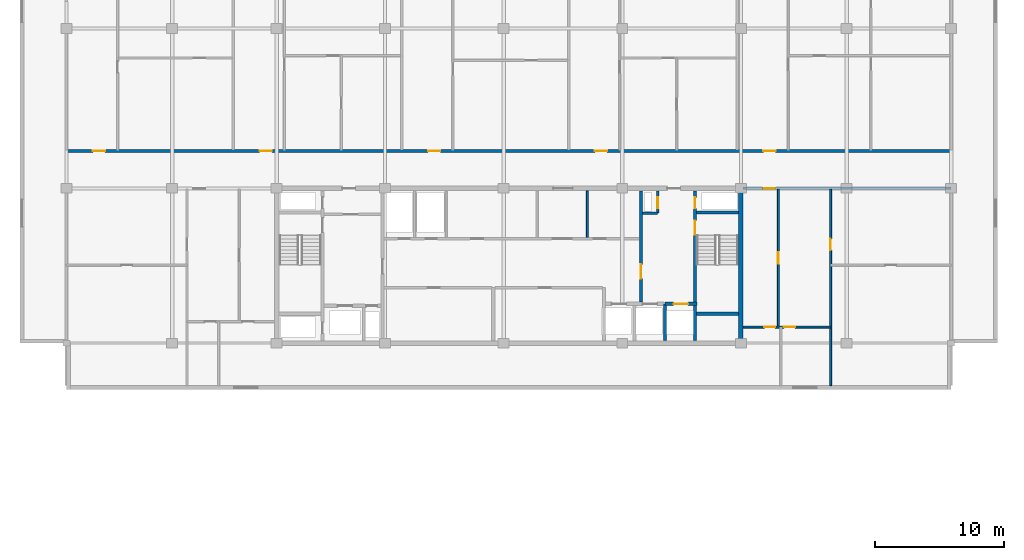
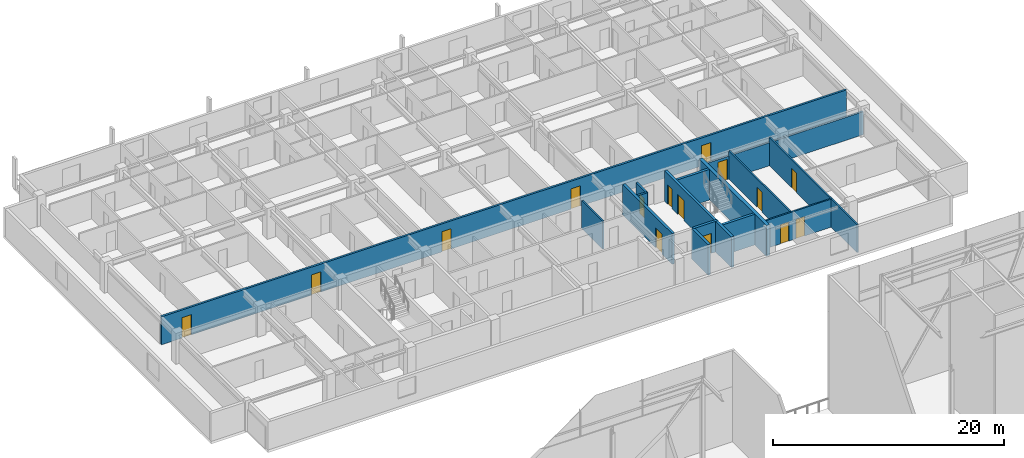
# One storey, part 36 of 42: 15 doors, 15 walls, 15 openings.
"""IFC4 building model written with IfcOpenShell, lengths in metres."""

import ifcopenshell
import ifcopenshell.guid

model = None  # the IFC model being written
_history = None  # IfcOwnerHistory: only IFC2X3 demands one
_inside = {}  # id of a spatial element -> (the spatial element, [elements in it])
_under = {}  # id of a project, library or spatial element -> (it, [spatial elements below it])
_declared = {}  # id of a project -> (the project, [libraries it declares])
_typed = {}  # id of a type object -> (the type object, [elements of that type])
_made_of = {}  # id of a material, layer set ... -> (it, [elements and type objects made of it])


def new_model(schema):
    """Start an empty IFC model of exactly this schema.

    Asked for "IFC4X3", IfcOpenShell would pick the latest addendum, in which some entities
    have other attributes; the version numbers below select the first issue.
    IFC2X3 requires an IfcOwnerHistory on every rooted entity: one is made here for all.
    """
    global model, _history
    if schema == "IFC4X3":
        model = ifcopenshell.file(schema_version=(4, 3, 0, 0))
    else:
        model = ifcopenshell.file(schema=schema)
    _inside.clear()
    _under.clear()
    _declared.clear()
    _typed.clear()
    _made_of.clear()
    _history = None
    if model.schema == "IFC2X3":
        org = make("IfcOrganization", Name="unknown")
        user = make(
            "IfcPersonAndOrganization",
            ThePerson=make("IfcPerson", FamilyName="unknown"),
            TheOrganization=org,
        )
        app = make(
            "IfcApplication",
            ApplicationDeveloper=org,
            Version="unknown",
            ApplicationFullName="unknown",
            ApplicationIdentifier="unknown",
        )
        _history = make(
            "IfcOwnerHistory",
            OwningUser=user,
            OwningApplication=app,
            ChangeAction="ADDED",
            CreationDate=0,
        )
    return model


def make(cls, **values):
    """One entity of the class cls with the attributes given. An attribute that is None is left unset."""
    return model.create_entity(
        cls, **{name: value for name, value in values.items() if value is not None}
    )


def rooted(cls, **values):
    """An entity with a GlobalId (a new one), such as an element, a storey or a relation."""
    return make(cls, GlobalId=ifcopenshell.guid.new(), OwnerHistory=_history, **values)


def si_unit(unit_type, name, prefix=None):
    """IfcSIUnit, for example si_unit("LENGTHUNIT", "METRE", prefix="MILLI")."""
    return make("IfcSIUnit", UnitType=unit_type, Prefix=prefix, Name=name)


def assignment(units):
    """IfcUnitAssignment: the units of a project."""
    return None if units is None else make("IfcUnitAssignment", Units=units)


def point(xyz):
    """IfcCartesianPoint."""
    return None if xyz is None else make("IfcCartesianPoint", Coordinates=xyz)


def direction(xyz):
    """IfcDirection."""
    return None if xyz is None else make("IfcDirection", DirectionRatios=xyz)


def frame(location, z_axis=None, x_axis=None):
    """IfcAxis2Placement3D, a coordinate frame: its origin and axes. An axis left out is left unset."""
    return make(
        "IfcAxis2Placement3D",
        Location=point(location),
        Axis=direction(z_axis),
        RefDirection=direction(x_axis),
    )


def frame_2d(location, x_axis=None):
    """IfcAxis2Placement2D, a coordinate frame in the plane: its origin and x axis."""
    return make(
        "IfcAxis2Placement2D", Location=point(location), RefDirection=direction(x_axis)
    )


def origin():
    """The frame at (0, 0, 0) with its axes left unset."""
    return frame((0.0, 0.0, 0.0))


def place(relative_to, where):
    """IfcLocalPlacement: puts the frame where relative to a parent placement (None: the world)."""
    return make(
        "IfcLocalPlacement", PlacementRelTo=relative_to, RelativePlacement=where
    )


def context(
    kind, dimensions, precision=None, world=None, true_north=None, identifier=None
):
    """IfcGeometricRepresentationContext, for example the 3D "Model" context."""
    return make(
        "IfcGeometricRepresentationContext",
        ContextIdentifier=identifier,
        ContextType=kind,
        CoordinateSpaceDimension=dimensions,
        Precision=precision,
        WorldCoordinateSystem=world,
        TrueNorth=true_north,
    )


def subcontext(parent, identifier, kind, view, scale=None):
    """IfcGeometricRepresentationSubContext, for example "Body" below "Model"."""
    return make(
        "IfcGeometricRepresentationSubContext",
        ContextIdentifier=identifier,
        ContextType=kind,
        ParentContext=parent,
        TargetScale=scale,
        TargetView=view,
    )


def project(units=None, contexts=None):
    """IfcProject with its units and contexts."""
    return rooted(
        "IfcProject",
        Name="project",
        RepresentationContexts=contexts,
        UnitsInContext=assignment(units),
    )


def spatial(cls, under=None, at=None, **own):
    """A site, building, storey or space (cls), placed at a placement, below another one or the project."""
    s = rooted(cls, ObjectPlacement=at, **own)
    if under is not None:
        _under.setdefault(under.id(), (under, []))[1].append(s)
    return s


def profile(cls, at=None, kind="AREA", **sizes):
    """A parametric profile (cls). Its sizes go by their IFC names, for example OverallWidth=200.0."""
    return make(cls, ProfileType=kind, Position=at, **sizes)


def rectangle(**sizes):
    """IfcRectangleProfileDef."""
    return profile("IfcRectangleProfileDef", **sizes)


def extrude(swept, where, along, depth):
    """IfcExtrudedAreaSolid: the profile swept, set in the frame where, extruded along a direction by depth."""
    return make(
        "IfcExtrudedAreaSolid",
        SweptArea=swept,
        Position=where,
        ExtrudedDirection=direction(along),
        Depth=depth,
    )


def shape(context_of_items, identifier, shape_type, items):
    """IfcShapeRepresentation: the items that make up one representation, for example the "Body"."""
    return make(
        "IfcShapeRepresentation",
        ContextOfItems=context_of_items,
        RepresentationIdentifier=identifier,
        RepresentationType=shape_type,
        Items=items,
    )


def material(Name=None, Category=None):
    """IfcMaterial."""
    return make("IfcMaterial", Name=Name, Category=Category)


def layer(
    of_material, thickness, ventilated=None, Name=None, Category=None, Priority=None
):
    """IfcMaterialLayer: one layer of a wall or slab, of a material (None: an air gap)."""
    return make(
        "IfcMaterialLayer",
        Material=of_material,
        LayerThickness=thickness,
        IsVentilated=ventilated,
        Name=Name,
        Category=Category,
        Priority=Priority,
    )


def layer_set(layers, Name=None):
    """IfcMaterialLayerSet."""
    return make("IfcMaterialLayerSet", MaterialLayers=layers, LayerSetName=Name)


def made_of(thing, what):
    """Note that an element or type object is made of a material, layer set ...; save() writes the relation."""
    if what is not None:
        _made_of.setdefault(what.id(), (what, []))[1].append(thing)
    return thing


def type_object(cls, material=None, **own):
    """A type object (cls), such as IfcWallType, which elements share."""
    return made_of(rooted(cls, **own), material)


def element(
    cls,
    number,
    at=None,
    inside=None,
    cuts=None,
    type_object=None,
    material=None,
    context=None,
    identifier="Body",
    shape_type=None,
    held_by="IfcProductDefinitionShape",
    body=None,
    shapes=None,
    **own,
):
    """One element of the class cls, such as IfcWall. Its Tag is "e" and its number.

    at: its placement. inside: the storey or other place that contains it. cuts: it is an
    opening in that element (IfcRelVoidsElement). A single representation is given by context,
    identifier, shape_type and body (its items); several are given by shapes. held_by: the class
    of the entity that holds the representations. save() writes the other relations.
    """
    e = rooted(cls, Tag="e%d" % number, ObjectPlacement=at, **own)
    if body is not None:
        shapes = [shape(context, identifier, shape_type, body)]
    if shapes is not None:
        e.Representation = make(held_by, Representations=shapes)
    if inside is not None:
        _inside.setdefault(inside.id(), (inside, []))[1].append(e)
    if cuts is not None:
        rooted(
            "IfcRelVoidsElement", RelatingBuildingElement=cuts, RelatedOpeningElement=e
        )
    if type_object is not None:
        _typed.setdefault(type_object.id(), (type_object, []))[1].append(e)
    return made_of(e, material)


def fill(opening, filler):
    """IfcRelFillsElement: the door or window that sits in an opening."""
    return rooted(
        "IfcRelFillsElement",
        RelatingOpeningElement=opening,
        RelatedBuildingElement=filler,
    )


def aggregate(whole, parts):
    """IfcRelAggregates: a whole, such as a stair, and the parts it consists of."""
    return rooted("IfcRelAggregates", RelatingObject=whole, RelatedObjects=parts)


def save(model, path):
    """Write the relations noted so far, then the file.

    IfcRelAggregates (storeys below a building ...), IfcRelContainedInSpatialStructure (elements
    in a storey), IfcRelDefinesByType, IfcRelAssociatesMaterial and IfcRelDeclares: one each for
    every whole, place, type object, material and project.
    """
    for whole, parts in _under.values():
        aggregate(whole, parts)
    for where, things in _inside.values():
        rooted(
            "IfcRelContainedInSpatialStructure",
            RelatedElements=things,
            RelatingStructure=where,
        )
    for kind, things in _typed.values():
        rooted("IfcRelDefinesByType", RelatedObjects=things, RelatingType=kind)
    for what, things in _made_of.values():
        rooted("IfcRelAssociatesMaterial", RelatedObjects=things, RelatingMaterial=what)
    for by, libraries in _declared.values():
        rooted("IfcRelDeclares", RelatingContext=by, RelatedDefinitions=libraries)
    model.write(path)


model = new_model("IFC4")

# Units and contexts
model_context = context("Model", 3, precision=1e-05, world=origin(), true_north=direction((0.0, 1.0)))
body_context = subcontext(model_context, "Body", "Model", "MODEL_VIEW")
ifc_project = project(units=[si_unit("LENGTHUNIT", "METRE"), si_unit("AREAUNIT", "SQUARE_METRE"), si_unit("VOLUMEUNIT", "CUBIC_METRE"), si_unit("PLANEANGLEUNIT", "RADIAN"), si_unit("MASSUNIT", "GRAM", prefix="KILO")], contexts=[model_context])

# Site, building, storey
site_placement = place(None, origin())
site = spatial("IfcSite", under=ifc_project, at=site_placement, CompositionType="ELEMENT")
building_placement = place(site_placement, origin())
building = spatial("IfcBuilding", under=site, at=building_placement, Name="Korimba Cascade Residences", CompositionType="ELEMENT")
storey_placement = place(building_placement, frame((0.0, 0.0, 207.60009765625)))
storey = spatial("IfcBuildingStorey", under=building, at=storey_placement, Name="L60", CompositionType="ELEMENT", Elevation=207.60009765625)

# Wall
ifc_material_1 = material(Name="Concrete C65/80", Category="concrete")
ifc_layer_1 = layer(ifc_material_1, 0.35009765625)
ifc_layer_set_1 = layer_set([ifc_layer_1], Name="Concrete C65/80")
wall_type_1 = type_object("IfcWallType", Name="WAL-CORE-350", PredefinedType="SHEAR", material=ifc_layer_set_1)
wall_1_placement = place(storey_placement, frame((112.074951171875, 55.375, 0.0), z_axis=(0.0, 0.0, 1.0), x_axis=(0.0, 1.0, 0.0)))
element("IfcWall", 1, at=wall_1_placement, inside=storey, type_object=wall_type_1, Name="L60 Core Shear Wall CW-L60-T1-E", PredefinedType="SHEAR", context=body_context, shape_type="SweptSolid", body=[
    extrude(rectangle(XDim=11.64990234375, YDim=0.35009765625, at=frame_2d((5.824951171875, 0.0))), origin(), (0.0, 0.0, 1.0), 3.25),
])

# Wall, opening, door
ifc_material_2 = material(Name="Precast concrete C40/50", Category="concrete")
ifc_layer_2 = layer(ifc_material_2, 0.199951171875)
ifc_layer_set_2 = layer_set([ifc_layer_2], Name="Precast concrete C40/50")
wall_type_2 = type_object("IfcWallType", Name="WAL-IT-200", PredefinedType="PARTITIONING", material=ifc_layer_set_2)
wall_2_placement = place(storey_placement, frame((112.25, 67.199951171875, 0.0), z_axis=(0.0, 0.0, 1.0), x_axis=(1.0, 0.0, 0.0)))
wall_2 = element("IfcWall", 2, at=wall_2_placement, inside=storey, type_object=wall_type_2, Name="L60 Partition Wall WAL-L60-T1-FE-N", PredefinedType="PARTITIONING", context=body_context, shape_type="SweptSolid", body=[
    extrude(rectangle(XDim=16.14990234375, YDim=0.199951171875, at=frame_2d((8.074951171875, 0.0))), origin(), (0.0, 0.0, 1.0), 2.43310546875),
])
opening_1_placement = place(wall_2_placement, frame((1.580078125, 0.0, 0.0)))
opening_1 = element("IfcOpeningElement", 3, at=opening_1_placement, cuts=wall_2, Name="Opening D-UN1", PredefinedType="OPENING", context=body_context, shape_type="SweptSolid", body=[
    extrude(rectangle(XDim=0.949951171875, YDim=2.14990234375, at=frame_2d((0.47509765625, 1.074951171875))), frame((0.0, 0.10986328125, 0.0), z_axis=(0.0, -1.0, 0.0), x_axis=(1.0, 0.0, 0.0)), (0.0, 0.0, 1.0), 0.219970703125),
])
ifc_material_3 = material(Name="Fire-Rated Hardwood Apartment Entrance Door", Category="wood")
door_type_1 = type_object("IfcDoorType", Name="DR-FD60-950", OperationType="NOTDEFINED", PredefinedType="DOOR", material=ifc_material_3)
door_1_placement = place(opening_1_placement, origin())
door_1 = element("IfcDoor", 4, at=door_1_placement, inside=storey, type_object=door_type_1, Name="L60-T1-FE Entrance Door", OperationType="SINGLE_SWING_RIGHT", OverallHeight=2.14990234375, OverallWidth=0.949951171875, PredefinedType="DOOR", context=body_context, shape_type="SweptSolid", body=[
    extrude(rectangle(XDim=0.949951171875, YDim=2.14990234375, at=frame_2d((0.47509765625, 1.074951171875))), frame((0.0, 0.02490234375, 0.0), z_axis=(0.0, -1.0, 0.0), x_axis=(1.0, 0.0, 0.0)), (0.0, 0.0, 1.0), 0.050048828125),
])
fill(opening_1, door_1)

# Wall, openings, doors
wall_3_placement = place(storey_placement, frame((59.800048828125, 70.10009765625, 0.0), z_axis=(0.0, 0.0, 1.0), x_axis=(1.0, 0.0, 0.0)))
wall_3 = element("IfcWall", 5, at=wall_3_placement, inside=storey, type_object=wall_type_2, Name="L60 Partition Wall WAL-L60-T1-CORN", PredefinedType="PARTITIONING", context=body_context, shape_type="SweptSolid", body=[
    extrude(rectangle(XDim=68.599853515625, YDim=0.199951171875, at=frame_2d((34.2998046875, 0.0))), origin(), (0.0, 0.0, 1.0), 2.969970703125),
])
opening_2_placement = place(wall_3_placement, frame((2.044921875, 0.0, 0.0)))
opening_2 = element("IfcOpeningElement", 6, at=opening_2_placement, cuts=wall_3, Name="Opening D-UN1", PredefinedType="OPENING", context=body_context, shape_type="SweptSolid", body=[
    extrude(rectangle(XDim=0.949951171875, YDim=2.14990234375, at=frame_2d((0.47509765625, 1.074951171875))), frame((0.0, 0.10986328125, 0.0), z_axis=(0.0, -1.0, 0.0), x_axis=(1.0, 0.0, 0.0)), (0.0, 0.0, 1.0), 0.219970703125),
])
opening_3_placement = place(wall_3_placement, frame((14.981201171875, 0.0, 0.0)))
opening_3 = element("IfcOpeningElement", 7, at=opening_3_placement, cuts=wall_3, Name="Opening D-UN1", PredefinedType="OPENING", context=body_context, shape_type="SweptSolid", body=[
    extrude(rectangle(XDim=0.949951171875, YDim=2.14990234375, at=frame_2d((0.47509765625, 1.074951171875))), frame((0.0, 0.10986328125, 0.0), z_axis=(0.0, -1.0, 0.0), x_axis=(1.0, 0.0, 0.0)), (0.0, 0.0, 1.0), 0.219970703125),
])
opening_4_placement = place(wall_3_placement, frame((28.044921875, 0.0, 0.0)))
opening_4 = element("IfcOpeningElement", 8, at=opening_4_placement, cuts=wall_3, Name="Opening D-UN1", PredefinedType="OPENING", context=body_context, shape_type="SweptSolid", body=[
    extrude(rectangle(XDim=0.949951171875, YDim=2.14990234375, at=frame_2d((0.47509765625, 1.074951171875))), frame((0.0, 0.10986328125, 0.0), z_axis=(0.0, -1.0, 0.0), x_axis=(1.0, 0.0, 0.0)), (0.0, 0.0, 1.0), 0.219970703125),
])
opening_5_placement = place(wall_3_placement, frame((40.981201171875, 0.0, 0.0)))
opening_5 = element("IfcOpeningElement", 9, at=opening_5_placement, cuts=wall_3, Name="Opening D-UN1", PredefinedType="OPENING", context=body_context, shape_type="SweptSolid", body=[
    extrude(rectangle(XDim=0.949951171875, YDim=2.14990234375, at=frame_2d((0.47509765625, 1.074951171875))), frame((0.0, 0.10986328125, 0.0), z_axis=(0.0, -1.0, 0.0), x_axis=(1.0, 0.0, 0.0)), (0.0, 0.0, 1.0), 0.219970703125),
])
opening_6_placement = place(wall_3_placement, frame((54.044921875, 0.0, 0.0)))
opening_6 = element("IfcOpeningElement", 10, at=opening_6_placement, cuts=wall_3, Name="Opening D-UN1", PredefinedType="OPENING", context=body_context, shape_type="SweptSolid", body=[
    extrude(rectangle(XDim=0.949951171875, YDim=2.14990234375, at=frame_2d((0.47509765625, 1.074951171875))), frame((0.0, 0.10986328125, 0.0), z_axis=(0.0, -1.0, 0.0), x_axis=(1.0, 0.0, 0.0)), (0.0, 0.0, 1.0), 0.219970703125),
])
door_2_placement = place(opening_2_placement, origin())
door_2 = element("IfcDoor", 11, at=door_2_placement, inside=storey, type_object=door_type_1, Name="Unit L60-T1-U01 Entrance Door", OperationType="SINGLE_SWING_RIGHT", OverallHeight=2.14990234375, OverallWidth=0.949951171875, PredefinedType="DOOR", context=body_context, shape_type="SweptSolid", body=[
    extrude(rectangle(XDim=0.949951171875, YDim=2.14990234375, at=frame_2d((0.47509765625, 1.074951171875))), frame((0.0, 0.02490234375, 0.0), z_axis=(0.0, -1.0, 0.0), x_axis=(1.0, 0.0, 0.0)), (0.0, 0.0, 1.0), 0.050048828125),
])
fill(opening_2, door_2)
door_3_placement = place(opening_3_placement, origin())
door_3 = element("IfcDoor", 12, at=door_3_placement, inside=storey, type_object=door_type_1, Name="Unit L60-T1-U02 Entrance Door", OperationType="SINGLE_SWING_LEFT", OverallHeight=2.14990234375, OverallWidth=0.949951171875, PredefinedType="DOOR", context=body_context, shape_type="SweptSolid", body=[
    extrude(rectangle(XDim=0.949951171875, YDim=2.14990234375, at=frame_2d((0.47509765625, 1.074951171875))), frame((0.0, 0.02490234375, 0.0), z_axis=(0.0, -1.0, 0.0), x_axis=(1.0, 0.0, 0.0)), (0.0, 0.0, 1.0), 0.050048828125),
])
fill(opening_3, door_3)
door_4_placement = place(opening_4_placement, origin())
door_4 = element("IfcDoor", 13, at=door_4_placement, inside=storey, type_object=door_type_1, Name="Unit L60-T1-U03 Entrance Door", OperationType="SINGLE_SWING_RIGHT", OverallHeight=2.14990234375, OverallWidth=0.949951171875, PredefinedType="DOOR", context=body_context, shape_type="SweptSolid", body=[
    extrude(rectangle(XDim=0.949951171875, YDim=2.14990234375, at=frame_2d((0.47509765625, 1.074951171875))), frame((0.0, 0.02490234375, 0.0), z_axis=(0.0, -1.0, 0.0), x_axis=(1.0, 0.0, 0.0)), (0.0, 0.0, 1.0), 0.050048828125),
])
fill(opening_4, door_4)
door_5_placement = place(opening_5_placement, origin())
door_5 = element("IfcDoor", 14, at=door_5_placement, inside=storey, type_object=door_type_1, Name="Unit L60-T1-U04 Entrance Door", OperationType="SINGLE_SWING_LEFT", OverallHeight=2.14990234375, OverallWidth=0.949951171875, PredefinedType="DOOR", context=body_context, shape_type="SweptSolid", body=[
    extrude(rectangle(XDim=0.949951171875, YDim=2.14990234375, at=frame_2d((0.47509765625, 1.074951171875))), frame((0.0, 0.02490234375, 0.0), z_axis=(0.0, -1.0, 0.0), x_axis=(1.0, 0.0, 0.0)), (0.0, 0.0, 1.0), 0.050048828125),
])
fill(opening_5, door_5)
door_6_placement = place(opening_6_placement, origin())
door_6 = element("IfcDoor", 15, at=door_6_placement, inside=storey, type_object=door_type_1, Name="Unit L60-T1-U05 Entrance Door", OperationType="SINGLE_SWING_RIGHT", OverallHeight=2.14990234375, OverallWidth=0.949951171875, PredefinedType="DOOR", context=body_context, shape_type="SweptSolid", body=[
    extrude(rectangle(XDim=0.949951171875, YDim=2.14990234375, at=frame_2d((0.47509765625, 1.074951171875))), frame((0.0, 0.02490234375, 0.0), z_axis=(0.0, -1.0, 0.0), x_axis=(1.0, 0.0, 0.0)), (0.0, 0.0, 1.0), 0.050048828125),
])
fill(opening_6, door_6)

# Wall
ifc_material_4 = material(Name="Insulated Acoustic Stud Partition", Category="gypsum")
ifc_layer_3 = layer(ifc_material_4, 0.14990234375)
ifc_layer_set_3 = layer_set([ifc_layer_3], Name="Insulated Acoustic Stud Partition")
wall_type_3 = type_object("IfcWallType", Name="WAL-PART-150", PredefinedType="PARTITIONING", material=ifc_layer_set_3)
wall_4_placement = place(storey_placement, frame((100.199951171875, 63.39990234375, 0.0), z_axis=(0.0, 0.0, 1.0), x_axis=(0.0, 1.0, 0.0)))
element("IfcWall", 16, at=wall_4_placement, inside=storey, type_object=wall_type_3, Name="L60 Partition Wall CW-L60-T1-THE", PredefinedType="PARTITIONING", context=body_context, shape_type="SweptSolid", body=[
    extrude(rectangle(XDim=3.60009765625, YDim=0.14990234375, at=frame_2d((1.800048828125, 0.0))), origin(), (0.0, 0.0, 1.0), 2.969970703125),
])

# Wall, opening, door
wall_5_placement = place(storey_placement, frame((119.050048828125, 51.89990234375, 0.0), z_axis=(0.0, 0.0, 1.0), x_axis=(0.0, 1.0, 0.0)))
wall_5 = element("IfcWall", 17, at=wall_5_placement, inside=storey, type_object=wall_type_3, Name="L60 Partition Wall WAL-L60-T1-FE-STV", PredefinedType="PARTITIONING", context=body_context, shape_type="SweptSolid", body=[
    extrude(rectangle(XDim=15.25, YDim=0.14990234375, at=frame_2d((7.625, 0.0))), origin(), (0.0, 0.0, 1.0), 2.969970703125),
])
opening_7_placement = place(wall_5_placement, frame((10.5, 0.0, 0.0)))
opening_7 = element("IfcOpeningElement", 18, at=opening_7_placement, cuts=wall_5, Name="Opening D-IN2", PredefinedType="OPENING", context=body_context, shape_type="SweptSolid", body=[
    extrude(rectangle(XDim=0.8798828125, YDim=2.06005859375, at=frame_2d((0.43994140625, 1.030029296875))), frame((0.0, 0.0849609375, 0.0), z_axis=(0.0, -1.0, 0.0), x_axis=(1.0, 0.0, 0.0)), (0.0, 0.0, 1.0), 0.169921875),
])
ifc_material_5 = material(Name="Acoustic Timber Bedroom Door", Category="wood")
door_type_2 = type_object("IfcDoorType", Name="DR-INT-880", OperationType="NOTDEFINED", PredefinedType="DOOR", material=ifc_material_5)
door_7_placement = place(opening_7_placement, origin())
door_7 = element("IfcDoor", 19, at=door_7_placement, inside=storey, type_object=door_type_2, Name="L60-T1-FE Study Door", OperationType="SINGLE_SWING_RIGHT", OverallHeight=2.06005859375, OverallWidth=0.8798828125, PredefinedType="DOOR", context=body_context, shape_type="SweptSolid", body=[
    extrude(rectangle(XDim=0.8798828125, YDim=2.06005859375, at=frame_2d((0.43994140625, 1.030029296875))), frame((0.0, 0.02490234375, 0.0), z_axis=(0.0, -1.0, 0.0), x_axis=(1.0, 0.0, 0.0)), (0.0, 0.0, 1.0), 0.050048828125),
])
fill(opening_7, door_7)

wall_6_placement = place(storey_placement, frame((115.0, 56.449951171875, 0.0), z_axis=(0.0, 0.0, 1.0), x_axis=(0.0, 1.0, 0.0)))
wall_6 = element("IfcWall", 20, at=wall_6_placement, inside=storey, type_object=wall_type_3, Name="L60 Partition Wall WAL-L60-T1-FE-VN", PredefinedType="PARTITIONING", context=body_context, shape_type="SweptSolid", body=[
    extrude(rectangle(XDim=10.699951171875, YDim=0.14990234375, at=frame_2d((5.35009765625, 0.0))), origin(), (0.0, 0.0, 1.0), 2.969970703125),
])
opening_8_placement = place(wall_6_placement, frame((4.889892578125, 0.0, 0.0)))
opening_8 = element("IfcOpeningElement", 21, at=opening_8_placement, cuts=wall_6, Name="Opening D-IN1", PredefinedType="OPENING", context=body_context, shape_type="SweptSolid", body=[
    extrude(rectangle(XDim=0.919921875, YDim=2.080078125, at=frame_2d((0.4599609375, 1.0400390625))), frame((0.0, 0.0849609375, 0.0), z_axis=(0.0, -1.0, 0.0), x_axis=(1.0, 0.0, 0.0)), (0.0, 0.0, 1.0), 0.169921875),
])
ifc_material_6 = material(Name="Acoustic Timber Living Door", Category="wood")
door_type_3 = type_object("IfcDoorType", Name="DR-INT-920", OperationType="NOTDEFINED", PredefinedType="DOOR", material=ifc_material_6)
door_8_placement = place(opening_8_placement, origin())
door_8 = element("IfcDoor", 22, at=door_8_placement, inside=storey, type_object=door_type_3, Name="L60-T1-FE Living Door", OperationType="SINGLE_SWING_LEFT", OverallHeight=2.080078125, OverallWidth=0.919921875, PredefinedType="DOOR", context=body_context, shape_type="SweptSolid", body=[
    extrude(rectangle(XDim=0.919921875, YDim=2.080078125, at=frame_2d((0.4599609375, 1.0400390625))), frame((0.0, 0.02490234375, 0.0), z_axis=(0.0, -1.0, 0.0), x_axis=(1.0, 0.0, 0.0)), (0.0, 0.0, 1.0), 0.050048828125),
])
fill(opening_8, door_8)

# Wall, openings, doors
wall_7_placement = place(storey_placement, frame((112.27001953125, 56.449951171875, 0.0), z_axis=(0.0, 0.0, 1.0), x_axis=(1.0, 0.0, 0.0)))
wall_7 = element("IfcWall", 23, at=wall_7_placement, inside=storey, type_object=wall_type_3, Name="L60 Partition Wall WAL-L60-T1-FE-H", PredefinedType="PARTITIONING", context=body_context, shape_type="SweptSolid", body=[
    extrude(rectangle(XDim=6.760009765625, YDim=0.14990234375, at=frame_2d((3.3798828125, 0.0))), origin(), (0.0, 0.0, 1.0), 2.969970703125),
])
opening_9_placement = place(wall_7_placement, frame((1.6396484375, 0.0, 0.0)))
opening_9 = element("IfcOpeningElement", 24, at=opening_9_placement, cuts=wall_7, Name="Opening D-BT1", PredefinedType="OPENING", context=body_context, shape_type="SweptSolid", body=[
    extrude(rectangle(XDim=0.840087890625, YDim=2.0400390625, at=frame_2d((0.419921875, 1.02001953125))), frame((0.0, 0.0849609375, 0.0), z_axis=(0.0, -1.0, 0.0), x_axis=(1.0, 0.0, 0.0)), (0.0, 0.0, 1.0), 0.169921875),
])
opening_10_placement = place(wall_7_placement, frame((3.160400390625, 0.0, 0.0)))
opening_10 = element("IfcOpeningElement", 25, at=opening_10_placement, cuts=wall_7, Name="Opening D-IN2", PredefinedType="OPENING", context=body_context, shape_type="SweptSolid", body=[
    extrude(rectangle(XDim=0.8798828125, YDim=2.06005859375, at=frame_2d((0.43994140625, 1.030029296875))), frame((0.0, 0.0849609375, 0.0), z_axis=(0.0, -1.0, 0.0), x_axis=(1.0, 0.0, 0.0)), (0.0, 0.0, 1.0), 0.169921875),
])
ifc_material_7 = material(Name="Moisture-Resistant Bathroom Timber Door", Category="wood")
door_type_4 = type_object("IfcDoorType", Name="DR-INT-850", OperationType="NOTDEFINED", PredefinedType="DOOR", material=ifc_material_7)
door_9_placement = place(opening_9_placement, origin())
door_9 = element("IfcDoor", 26, at=door_9_placement, inside=storey, type_object=door_type_4, Name="L60-T1-FE Bathroom Door", OperationType="SINGLE_SWING_RIGHT", OverallHeight=2.0400390625, OverallWidth=0.840087890625, PredefinedType="DOOR", context=body_context, shape_type="SweptSolid", body=[
    extrude(rectangle(XDim=0.840087890625, YDim=2.0400390625, at=frame_2d((0.419921875, 1.02001953125))), frame((0.0, 0.02490234375, 0.0), z_axis=(0.0, -1.0, 0.0), x_axis=(1.0, 0.0, 0.0)), (0.0, 0.0, 1.0), 0.050048828125),
])
fill(opening_9, door_9)
door_10_placement = place(opening_10_placement, origin())
door_10 = element("IfcDoor", 27, at=door_10_placement, inside=storey, type_object=door_type_2, Name="L60-T1-FE Bedroom Door", OperationType="SINGLE_SWING_LEFT", OverallHeight=2.06005859375, OverallWidth=0.8798828125, PredefinedType="DOOR", context=body_context, shape_type="SweptSolid", body=[
    extrude(rectangle(XDim=0.8798828125, YDim=2.06005859375, at=frame_2d((0.43994140625, 1.030029296875))), frame((0.0, 0.02490234375, 0.0), z_axis=(0.0, -1.0, 0.0), x_axis=(1.0, 0.0, 0.0)), (0.0, 0.0, 1.0), 0.050048828125),
])
fill(opening_10, door_10)

# Wall
ifc_material_8 = material(Name="Concrete C40/50", Category="concrete")
ifc_layer_4 = layer(ifc_material_8, 0.199951171875)
ifc_layer_set_4 = layer_set([ifc_layer_4], Name="Concrete C40/50")
wall_type_4 = type_object("IfcWallType", Name="WAL-PART-200", PredefinedType="PARTITIONING", material=ifc_layer_set_4)
wall_8_placement = place(storey_placement, frame((104.449951171875, 65.280029296875, 0.0), z_axis=(0.0, 0.0, 1.0), x_axis=(1.0, 0.0, 0.0)))
element("IfcWall", 28, at=wall_8_placement, inside=storey, type_object=wall_type_4, Name="L60 Partition Wall CW-L60-T1-HYDW2S", PredefinedType="PARTITIONING", context=body_context, shape_type="SweptSolid", body=[
    extrude(rectangle(XDim=1.199951171875, YDim=0.199951171875, at=frame_2d((0.60009765625, 0.0))), origin(), (0.0, 0.0, 1.0), 2.969970703125),
])

# Wall, opening, door
wall_9_placement = place(storey_placement, frame((105.64990234375, 65.280029296875, 0.0), z_axis=(0.0, 0.0, 1.0), x_axis=(0.0, 1.0, 0.0)))
wall_9 = element("IfcWall", 29, at=wall_9_placement, inside=storey, type_object=wall_type_4, Name="L60 Partition Wall CW-L60-T1-HYDW2E", PredefinedType="PARTITIONING", context=body_context, shape_type="SweptSolid", body=[
    extrude(rectangle(XDim=1.719970703125, YDim=0.199951171875, at=frame_2d((0.85986328125, 0.0))), origin(), (0.0, 0.0, 1.0), 2.969970703125),
])
opening_11_placement = place(wall_9_placement, frame((0.39990234375, 0.0, 0.0)))
opening_11 = element("IfcOpeningElement", 30, at=opening_11_placement, cuts=wall_9, Name="Opening D-RS1", PredefinedType="OPENING", context=body_context, shape_type="SweptSolid", body=[
    extrude(rectangle(XDim=0.85009765625, YDim=2.050048828125, at=frame_2d((0.425048828125, 1.02490234375))), frame((0.0, 0.10986328125, 0.0), z_axis=(0.0, -1.0, 0.0), x_axis=(1.0, 0.0, 0.0)), (0.0, 0.0, 1.0), 0.219970703125),
])
ifc_material_9 = material(Name="Fire-Rated Steel Riser Access Door", Category="steel")
door_type_5 = type_object("IfcDoorType", Name="DR-FD60-850", OperationType="NOTDEFINED", PredefinedType="DOOR", material=ifc_material_9)
door_11_placement = place(opening_11_placement, origin())
door_11 = element("IfcDoor", 31, at=door_11_placement, inside=storey, type_object=door_type_5, Name="L60 East Hydrant Door", OperationType="SINGLE_SWING_LEFT", OverallHeight=2.050048828125, OverallWidth=0.85009765625, PredefinedType="DOOR", context=body_context, shape_type="SweptSolid", body=[
    extrude(rectangle(XDim=0.85009765625, YDim=2.050048828125, at=frame_2d((0.425048828125, 1.02490234375))), frame((0.0, 0.02490234375, 0.0), z_axis=(0.0, -1.0, 0.0), x_axis=(1.0, 0.0, 0.0)), (0.0, 0.0, 1.0), 0.050048828125),
])
fill(opening_11, door_11)

# Wall
ifc_material_10 = material(Name="Concrete C50/60", Category="concrete")
ifc_layer_5 = layer(ifc_material_10, 0.25)
ifc_layer_set_5 = layer_set([ifc_layer_5], Name="Concrete C50/60")
wall_type_5 = type_object("IfcWallType", Name="WAL-SHAFT-250", PredefinedType="SHEAR", material=ifc_layer_set_5)
wall_10_placement = place(storey_placement, frame((106.219970703125, 55.39990234375, 0.0), z_axis=(0.0, 0.0, 1.0), x_axis=(0.0, 1.0, 0.0)))
element("IfcWall", 32, at=wall_10_placement, inside=storey, type_object=wall_type_5, Name="L60 Core Shear Wall CW-L60-T1-FF2W", PredefinedType="SHEAR", context=body_context, shape_type="SweptSolid", body=[
    extrude(rectangle(XDim=2.85009765625, YDim=0.25, at=frame_2d((1.425048828125, 0.0))), origin(), (0.0, 0.0, 1.0), 3.25),
])

# Wall, opening, door
wall_11_placement = place(storey_placement, frame((106.219970703125, 58.25, 0.0), z_axis=(0.0, 0.0, 1.0), x_axis=(1.0, 0.0, 0.0)))
wall_11 = element("IfcWall", 33, at=wall_11_placement, inside=storey, type_object=wall_type_5, Name="L60 Core Shear Wall CW-L60-T1-FF2N", PredefinedType="SHEAR", context=body_context, shape_type="SweptSolid", body=[
    extrude(rectangle(XDim=2.4599609375, YDim=0.25, at=frame_2d((1.22998046875, 0.0))), origin(), (0.0, 0.0, 1.0), 3.25),
])
opening_12_placement = place(wall_11_placement, frame((0.669921875, 0.0, 0.0)))
opening_12 = element("IfcOpeningElement", 34, at=opening_12_placement, cuts=wall_11, Name="Opening LD-01", PredefinedType="OPENING", context=body_context, shape_type="SweptSolid", body=[
    extrude(rectangle(XDim=1.1201171875, YDim=2.1201171875, at=frame_2d((0.56005859375, 1.06005859375))), frame((0.0, 0.135009765625, 0.0), z_axis=(0.0, -1.0, 0.0), x_axis=(1.0, 0.0, 0.0)), (0.0, 0.0, 1.0), 0.27001953125),
])
ifc_material_11 = material(Name="Stainless Steel Lift Landing Sliding Door", Category="steel")
door_type_6 = type_object("IfcDoorType", Name="DR-LIFT-1100", OperationType="NOTDEFINED", PredefinedType="DOOR", material=ifc_material_11)
door_12_placement = place(opening_12_placement, origin())
door_12 = element("IfcDoor", 35, at=door_12_placement, inside=storey, type_object=door_type_6, Name="L60 Firefighting Lift Landing Door FFL-W2", OperationType="SLIDING_TO_RIGHT", OverallHeight=2.1201171875, OverallWidth=1.1201171875, PredefinedType="DOOR", context=body_context, shape_type="SweptSolid", body=[
    extrude(rectangle(XDim=1.1201171875, YDim=2.1201171875, at=frame_2d((0.56005859375, 1.06005859375))), frame((0.0, 0.02490234375, 0.0), z_axis=(0.0, -1.0, 0.0), x_axis=(1.0, 0.0, 0.0)), (0.0, 0.0, 1.0), 0.050048828125),
])
fill(opening_12, door_12)

wall_12_placement = place(storey_placement, frame((104.35009765625, 58.39990234375, 0.0), z_axis=(0.0, 0.0, 1.0), x_axis=(0.0, 1.0, 0.0)))
wall_12 = element("IfcWall", 36, at=wall_12_placement, inside=storey, type_object=wall_type_5, Name="L60 Core Shear Wall CW-L60-T1-LLEV", PredefinedType="SHEAR", context=body_context, shape_type="SweptSolid", body=[
    extrude(rectangle(XDim=8.60009765625, YDim=0.25, at=frame_2d((4.300048828125, 0.0))), origin(), (0.0, 0.0, 1.0), 3.25),
])
opening_13_placement = place(wall_12_placement, frame((1.800048828125, 0.0, 0.0)))
opening_13 = element("IfcOpeningElement", 37, at=opening_13_placement, cuts=wall_12, Name="Opening D-FD1", PredefinedType="OPENING", context=body_context, shape_type="SweptSolid", body=[
    extrude(rectangle(XDim=1.10009765625, YDim=2.10009765625, at=frame_2d((0.550048828125, 1.050048828125))), frame((0.0, 0.135009765625, 0.0), z_axis=(0.0, -1.0, 0.0), x_axis=(1.0, 0.0, 0.0)), (0.0, 0.0, 1.0), 0.27001953125),
])
ifc_material_12 = material(Name="Fire-Rated Steel Core Door", Category="steel")
door_type_7 = type_object("IfcDoorType", Name="DR-FD120-1100", OperationType="NOTDEFINED", PredefinedType="DOOR", material=ifc_material_12)
door_13_placement = place(opening_13_placement, origin())
door_13 = element("IfcDoor", 38, at=door_13_placement, inside=storey, type_object=door_type_7, Name="L60 Lift Lobby to East Firefighting Lobby Door", OperationType="SINGLE_SWING_RIGHT", OverallHeight=2.10009765625, OverallWidth=1.10009765625, PredefinedType="DOOR", context=body_context, shape_type="SweptSolid", body=[
    extrude(rectangle(XDim=1.10009765625, YDim=2.10009765625, at=frame_2d((0.550048828125, 1.050048828125))), frame((0.0, 0.02490234375, 0.0), z_axis=(0.0, -1.0, 0.0), x_axis=(1.0, 0.0, 0.0)), (0.0, 0.0, 1.0), 0.050048828125),
])
fill(opening_13, door_13)

# Wall, openings, doors
wall_13_placement = place(storey_placement, frame((108.534912109375, 55.39990234375, 0.0), z_axis=(0.0, 0.0, 1.0), x_axis=(0.0, 1.0, 0.0)))
wall_13 = element("IfcWall", 39, at=wall_13_placement, inside=storey, type_object=wall_type_5, Name="L60 Core Shear Wall CW-L60-T1-STW2W", PredefinedType="SHEAR", context=body_context, shape_type="SweptSolid", body=[
    extrude(rectangle(XDim=11.60009765625, YDim=0.25, at=frame_2d((5.800048828125, 0.0))), origin(), (0.0, 0.0, 1.0), 3.25),
])
opening_14_placement = place(wall_13_placement, frame((8.199951171875, 0.0, 0.0)))
opening_14 = element("IfcOpeningElement", 40, at=opening_14_placement, cuts=wall_13, Name="Opening D-FD1", PredefinedType="OPENING", context=body_context, shape_type="SweptSolid", body=[
    extrude(rectangle(XDim=1.10009765625, YDim=2.10009765625, at=frame_2d((0.550048828125, 1.050048828125))), frame((0.0, 0.135009765625, 0.0), z_axis=(0.0, -1.0, 0.0), x_axis=(1.0, 0.0, 0.0)), (0.0, 0.0, 1.0), 0.27001953125),
])
opening_15_placement = place(wall_13_placement, frame((10.25, 0.0, 0.0)))
opening_15 = element("IfcOpeningElement", 41, at=opening_15_placement, cuts=wall_13, Name="Opening D-RS1", PredefinedType="OPENING", context=body_context, shape_type="SweptSolid", body=[
    extrude(rectangle(XDim=0.85009765625, YDim=2.050048828125, at=frame_2d((0.425048828125, 1.02490234375))), frame((0.0, 0.135009765625, 0.0), z_axis=(0.0, -1.0, 0.0), x_axis=(1.0, 0.0, 0.0)), (0.0, 0.0, 1.0), 0.27001953125),
])
door_14_placement = place(opening_14_placement, origin())
door_14 = element("IfcDoor", 42, at=door_14_placement, inside=storey, type_object=door_type_7, Name="L60 Fire Stair ST-W2 Door", OperationType="SINGLE_SWING_LEFT", OverallHeight=2.10009765625, OverallWidth=1.10009765625, PredefinedType="DOOR", context=body_context, shape_type="SweptSolid", body=[
    extrude(rectangle(XDim=1.10009765625, YDim=2.10009765625, at=frame_2d((0.550048828125, 1.050048828125))), frame((0.0, 0.02490234375, 0.0), z_axis=(0.0, -1.0, 0.0), x_axis=(1.0, 0.0, 0.0)), (0.0, 0.0, 1.0), 0.050048828125),
])
fill(opening_14, door_14)
door_15_placement = place(opening_15_placement, origin())
door_15 = element("IfcDoor", 43, at=door_15_placement, inside=storey, type_object=door_type_5, Name="L60 East Riser Door", OperationType="SINGLE_SWING_RIGHT", OverallHeight=2.050048828125, OverallWidth=0.85009765625, PredefinedType="DOOR", context=body_context, shape_type="SweptSolid", body=[
    extrude(rectangle(XDim=0.85009765625, YDim=2.050048828125, at=frame_2d((0.425048828125, 1.02490234375))), frame((0.0, 0.02490234375, 0.0), z_axis=(0.0, -1.0, 0.0), x_axis=(1.0, 0.0, 0.0)), (0.0, 0.0, 1.0), 0.050048828125),
])
fill(opening_15, door_15)

# Walls
for number, where, z_axis, x_axis, name in (
    (44, (108.659912109375, 57.47509765625, 0.0), (0.0, 0.0, 1.0), (1.0, 0.0, 0.0), "L60 Core Shear Wall CW-L60-T1-STW2S"),
    (45, (108.659912109375, 65.324951171875, 0.0), (0.0, 0.0, 1.0), (1.0, 0.0, 0.0), "L60 Core Shear Wall CW-L60-T1-STW2N"),
):
    element("IfcWall", number, at=place(storey_placement, frame(where, z_axis=z_axis, x_axis=x_axis)), inside=storey, type_object=wall_type_5, Name=name, PredefinedType="SHEAR", context=body_context, shape_type="SweptSolid", body=[
        extrude(rectangle(XDim=3.239990234375, YDim=0.25, at=frame_2d((1.6201171875, 0.0))), origin(), (0.0, 0.0, 1.0), 3.25),
    ])

save(model, "model.ifc")
